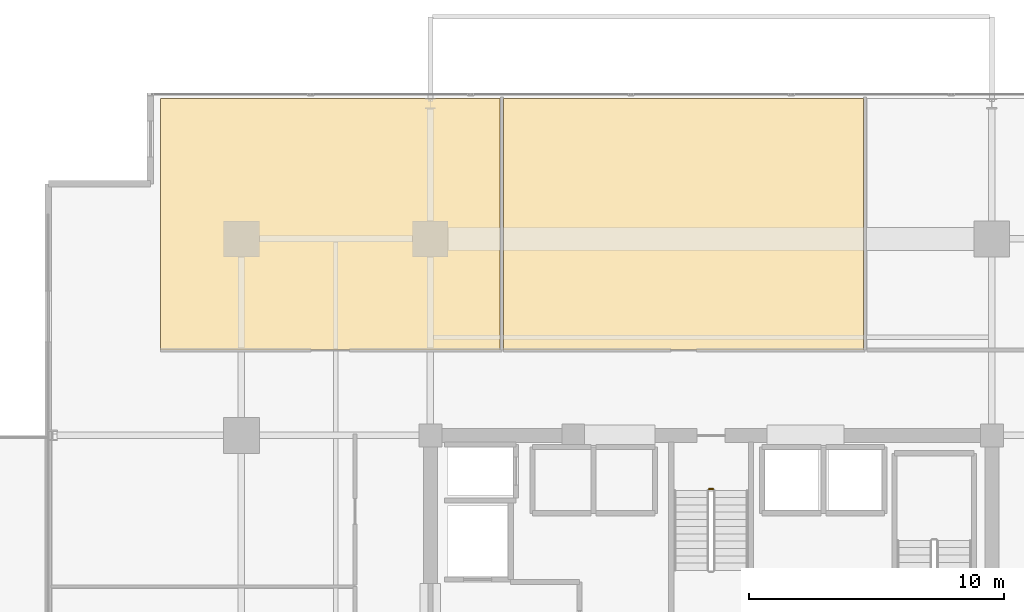
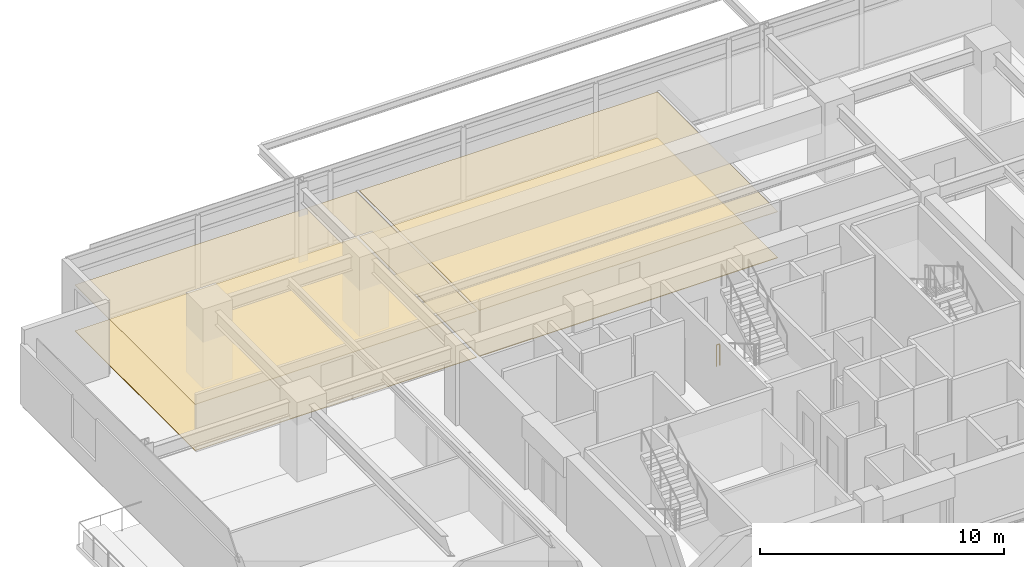
# One storey, part 21 of 22: 4 coverings, 1 railing.
"""IFC4 building model written with IfcOpenShell, lengths in metres."""

from ifc_helpers import new_model, si_unit, direction, frame, origin, origin_2d, place, context, subcontext, project, spatial, polyline, circle, outline, extrude, material, layer, layer_set, type_object, element, save


model = new_model("IFC4")

# Units and contexts
model_context = context("Model", 3, precision=1e-05, world=origin(), true_north=direction((0.0, 1.0)))
body_context = subcontext(model_context, "Body", "Model", "MODEL_VIEW")
ifc_project = project(units=[si_unit("LENGTHUNIT", "METRE"), si_unit("AREAUNIT", "SQUARE_METRE"), si_unit("VOLUMEUNIT", "CUBIC_METRE"), si_unit("PLANEANGLEUNIT", "RADIAN"), si_unit("MASSUNIT", "GRAM", prefix="KILO")], contexts=[model_context])

# Site, building, storey
site_placement = place(None, origin())
site = spatial("IfcSite", under=ifc_project, at=site_placement, CompositionType="ELEMENT")
building_placement = place(site_placement, origin())
building = spatial("IfcBuilding", under=site, at=building_placement, Name="Kovane Verandah Tower", CompositionType="ELEMENT")
storey_placement = place(building_placement, frame((0.0, 0.0, 229.199951171875)))
storey = spatial("IfcBuildingStorey", under=building, at=storey_placement, Name="L53", CompositionType="ELEMENT", Elevation=229.199951171875)

# Coverings
ifc_material_1 = material(Name="Perforated Acoustic Mineral-Fibre Ceiling Tile", Category="gypsum")
ifc_layer_1 = layer(ifc_material_1, 0.02490234375)
ifc_layer_set_1 = layer_set([ifc_layer_1], Name="Perforated Acoustic Mineral-Fibre Ceiling Tile")
covering_type_1 = type_object("IfcCoveringType", Name="CV-CEIL-25", PredefinedType="CEILING", material=ifc_layer_set_1)
covering_1_placement = place(storey_placement, frame((0.0, 0.0, 2.304931640625)))
element("IfcCovering", 1, at=covering_1_placement, inside=storey, type_object=covering_type_1, Name="L53 Client Boardroom N1 Acoustic Ceiling", PredefinedType="CEILING", context=body_context, shape_type="SweptSolid", body=[
    extrude(outline(polyline([(18.4306640625, 39.85009765625), (31.733642578125, 39.85009765625), (31.733642578125, 49.710205078125), (18.4306640625, 49.710205078125), (18.4306640625, 39.85009765625)])), origin(), (0.0, 0.0, 1.0), 0.025146484375),
])
covering_2_placement = place(storey_placement, frame((0.0, 0.0, 2.304931640625)))
element("IfcCovering", 2, at=covering_2_placement, inside=storey, type_object=covering_type_1, Name="L53 Meeting Room N2 Acoustic Ceiling", PredefinedType="CEILING", context=body_context, shape_type="SweptSolid", body=[
    extrude(outline(polyline([(31.873779296875, 39.85009765625), (45.969482421875, 39.85009765625), (45.969482421875, 49.710205078125), (31.873779296875, 49.710205078125), (31.873779296875, 39.85009765625)])), origin(), (0.0, 0.0, 1.0), 0.025146484375),
])
ifc_material_2 = material(Name="Polished Terrazzo and Raised-Access Carpet Tile Finish", Category="concrete")
ifc_layer_2 = layer(ifc_material_2, 0.030029296875)
ifc_layer_set_2 = layer_set([ifc_layer_2], Name="Polished Terrazzo and Raised-Access Carpet Tile Finish")
covering_type_2 = type_object("IfcCoveringType", Name="CV-FLOR-30", PredefinedType="FLOORING", material=ifc_layer_set_2)
covering_3_placement = place(storey_placement, origin())
element("IfcCovering", 3, at=covering_3_placement, inside=storey, type_object=covering_type_2, Name="L53 Client Boardroom N1 Floor Finish", PredefinedType="FLOORING", context=body_context, shape_type="SweptSolid", body=[
    extrude(outline(polyline([(18.4306640625, 39.85009765625), (31.733642578125, 39.85009765625), (31.733642578125, 49.710205078125), (18.4306640625, 49.710205078125), (18.4306640625, 39.85009765625)])), origin(), (0.0, 0.0, 1.0), 0.030029296875),
])
covering_4_placement = place(storey_placement, origin())
element("IfcCovering", 4, at=covering_4_placement, inside=storey, type_object=covering_type_2, Name="L53 Meeting Room N2 Floor Finish", PredefinedType="FLOORING", context=body_context, shape_type="SweptSolid", body=[
    extrude(outline(polyline([(31.873779296875, 39.85009765625), (45.969482421875, 39.85009765625), (45.969482421875, 49.710205078125), (31.873779296875, 49.710205078125), (31.873779296875, 39.85009765625)])), origin(), (0.0, 0.0, 1.0), 0.030029296875),
])

# Railing
ifc_material_3 = material(Name="Painted Steel Stairwell Guardrail", Category="steel")
railing_type = type_object("IfcRailingType", Name="RL-STGUARD-1120", PredefinedType="GUARDRAIL", material=ifc_material_3)
railing_placement = place(storey_placement, frame((39.919921875, 34.39990234375, 0.0)))
element("IfcRailing", 5, at=railing_placement, inside=storey, type_object=railing_type, Name="L53 ST-03 stair guard 4", PredefinedType="GUARDRAIL", context=body_context, shape_type="SweptSolid", body=[
    extrude(circle(Radius=0.02392578125, at=origin_2d()), frame((0.0, 0.0, 1.076171875), z_axis=(1.0, 0.0, 0.0), x_axis=(0.0, 1.0, 0.0)), (0.0, 0.0, 1.0), 0.16015625),
    extrude(circle(Radius=0.02099609375, at=origin_2d()), origin(), (0.0, 0.0, 1.0), 1.052001953125),
    extrude(circle(Radius=0.02099609375, at=origin_2d()), frame((0.16015625, 0.0, 0.0)), (0.0, 0.0, 1.0), 1.052001953125),
])

save(model, "model.ifc")
